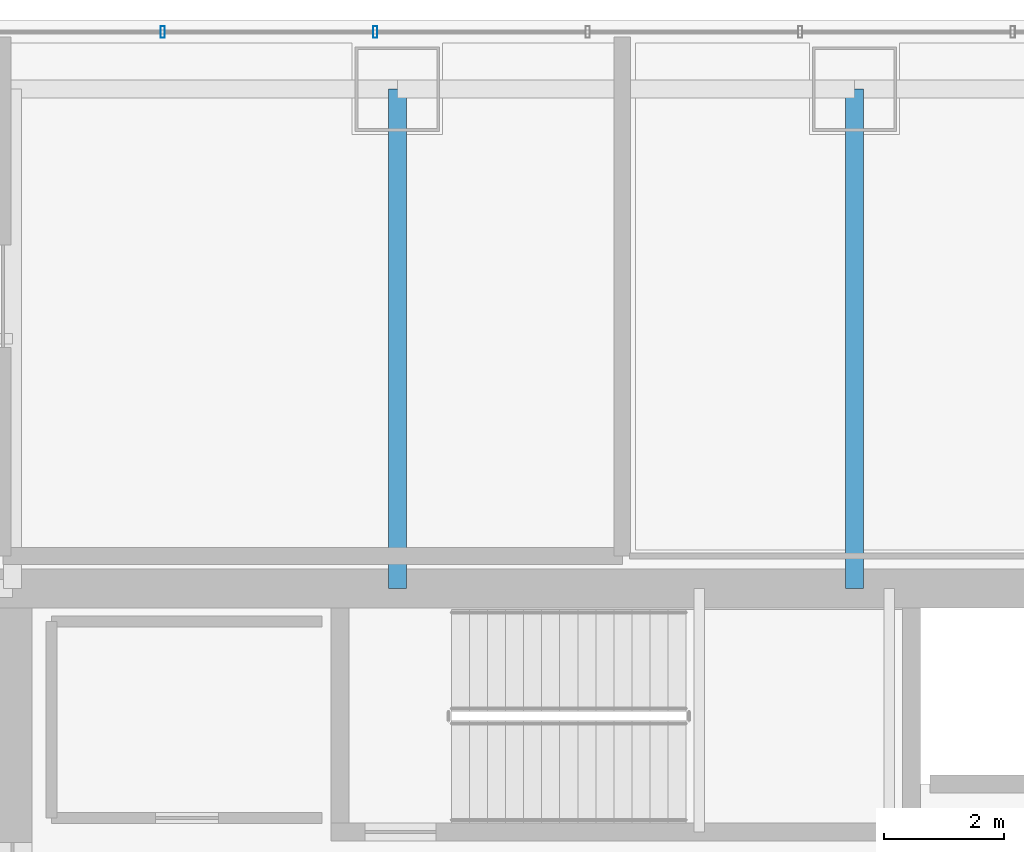
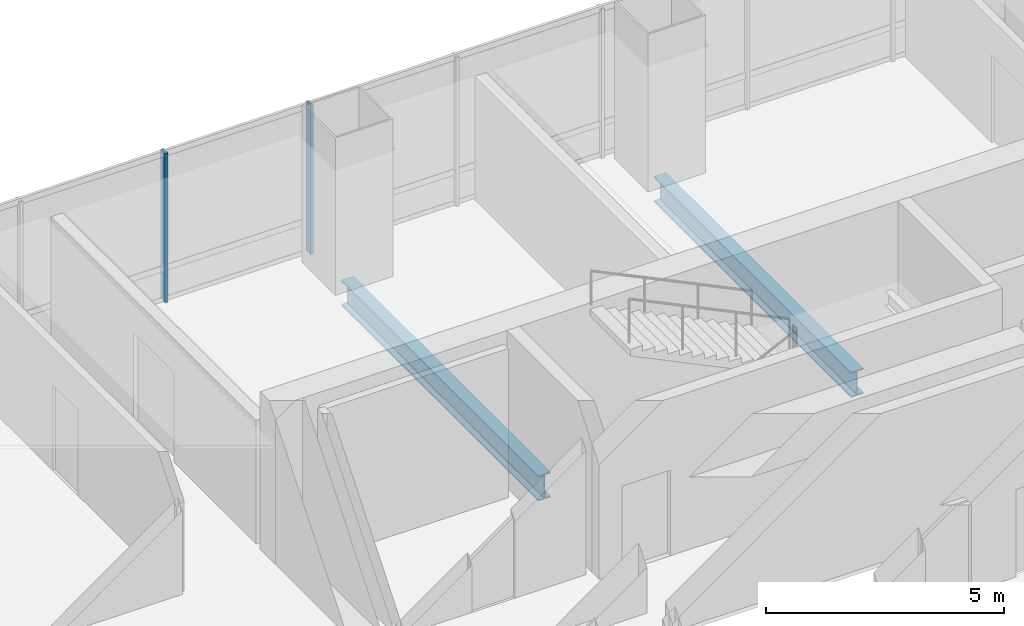
# One storey, part 22 of 36: 2 beams, 2 members, 1 element without a shape of its own.
"""IFC4 building model written with IfcOpenShell, lengths in metres."""

from ifc_helpers import new_model, si_unit, direction, frame, origin, origin_2d, place, context, subcontext, project, spatial, hollow_rectangle, i_section, extrude, material, material_profile, profile_set, type_object, element, aggregate, save


model = new_model("IFC4")

# Units and contexts
model_context = context("Model", 3, precision=1e-05, world=origin(), true_north=direction((0.0, 1.0)))
body_context = subcontext(model_context, "Body", "Model", "MODEL_VIEW")
ifc_project = project(units=[si_unit("LENGTHUNIT", "METRE"), si_unit("AREAUNIT", "SQUARE_METRE"), si_unit("VOLUMEUNIT", "CUBIC_METRE"), si_unit("PLANEANGLEUNIT", "RADIAN"), si_unit("MASSUNIT", "GRAM", prefix="KILO")], contexts=[model_context])

# Site, building, storey
site_placement = place(None, origin())
site = spatial("IfcSite", under=ifc_project, at=site_placement, CompositionType="ELEMENT")
building_placement = place(site_placement, origin())
building = spatial("IfcBuilding", under=site, at=building_placement, Name="Punatoya Terracotta Tower", CompositionType="ELEMENT")
storey_placement = place(building_placement, frame((0.0, 0.0, 176.25)))
storey = spatial("IfcBuildingStorey", under=building, at=storey_placement, Name="L41", CompositionType="ELEMENT", Elevation=176.25)

# Beams
ifc_material_1 = material(Name="Steel S355", Category="steel")
ifc_material_profile_1 = material_profile(ifc_material_1, i_section(OverallWidth=0.300048828125, OverallDepth=0.64990234375, WebThickness=0.01611328125, FlangeThickness=0.031005859375, FilletRadius=0.01806640625, at=origin_2d()))
ifc_profile_set_1 = profile_set([ifc_material_profile_1], Name="Steel S355")
beam_type = type_object("IfcBeamType", Name="BM-PRI-650", PredefinedType="BEAM", material=ifc_profile_set_1)
for number, where, z_axis, x_axis, name in (
    (1, (-3.800048828125, 9.199951171875, -0.544921875), (0.0, 1.0, 0.0), (-1.0, 0.0, 0.0), "BM-L41-PR-N2"),
    (2, (3.800048828125, 9.199951171875, -0.544921875), (0.0, 1.0, 0.0), (-1.0, 0.0, 0.0), "BM-L41-PR-N3"),
):
    element("IfcBeam", number, at=place(storey_placement, frame(where, z_axis=z_axis, x_axis=x_axis)), inside=storey, type_object=beam_type, Name=name, PredefinedType="BEAM", context=body_context, shape_type="SweptSolid", body=[
        extrude(i_section(OverallWidth=0.300048828125, OverallDepth=0.64990234375, WebThickness=0.01611328125, FlangeThickness=0.031005859375, FilletRadius=0.01806640625, at=origin_2d()), origin(), (0.0, 0.0, 1.0), 8.300048828125),
    ])

# Curtain wall, members
ifc_material_2 = material(Name="Aluminium 6063-T6 + Double Low-E Glass", Category="aluminium")
curtain_wall_type = type_object("IfcCurtainWallType", Name="CW-M2", PredefinedType="NOTDEFINED", material=ifc_material_2)
curtain_wall_placement = place(storey_placement, origin())
curtain_wall = element("IfcCurtainWall", 3, at=curtain_wall_placement, inside=storey, type_object=curtain_wall_type, Name="L41 Curtain Wall CW-L41-N09-1", PredefinedType="NOTDEFINED")
ifc_material_3 = material(Name="Aluminium 6063-T6", Category="aluminium")
ifc_material_profile_2 = material_profile(ifc_material_3, hollow_rectangle(XDim=0.072021484375, YDim=0.195068359375, WallThickness=0.00439453125, at=origin_2d()))
ifc_profile_set_2 = profile_set([ifc_material_profile_2], Name="Aluminium 6063-T6")
member_type = type_object("IfcMemberType", Name="CW-MUL-M2", PredefinedType="MULLION", material=ifc_profile_set_2)
member_1_placement = place(storey_placement, frame((-4.1669921875, 18.449951171875, 0.0), z_axis=(0.0, 0.0, 1.0), x_axis=(1.0, 0.0, 0.0)))
member_1 = element("IfcMember", 4, at=member_1_placement, type_object=member_type, Name="CW-L41-N09-1 Mullion 06", PredefinedType="MULLION", context=body_context, shape_type="SweptSolid", body=[
    extrude(hollow_rectangle(XDim=0.072021484375, YDim=0.195068359375, WallThickness=0.00439453125, at=origin_2d()), origin(), (0.0, 0.0, 1.0), 3.830078125),
])
member_2_placement = place(storey_placement, frame((-7.700927734375, 18.449951171875, 0.0), z_axis=(0.0, 0.0, 1.0), x_axis=(1.0, 0.0, 0.0)))
member_2 = element("IfcMember", 5, at=member_2_placement, type_object=member_type, Name="CW-L41-N09-1 Mullion 07", PredefinedType="MULLION", context=body_context, shape_type="SweptSolid", body=[
    extrude(hollow_rectangle(XDim=0.072021484375, YDim=0.195068359375, WallThickness=0.00439453125, at=origin_2d()), origin(), (0.0, 0.0, 1.0), 3.830078125),
])
aggregate(curtain_wall, [member_1, member_2])

save(model, "model.ifc")
